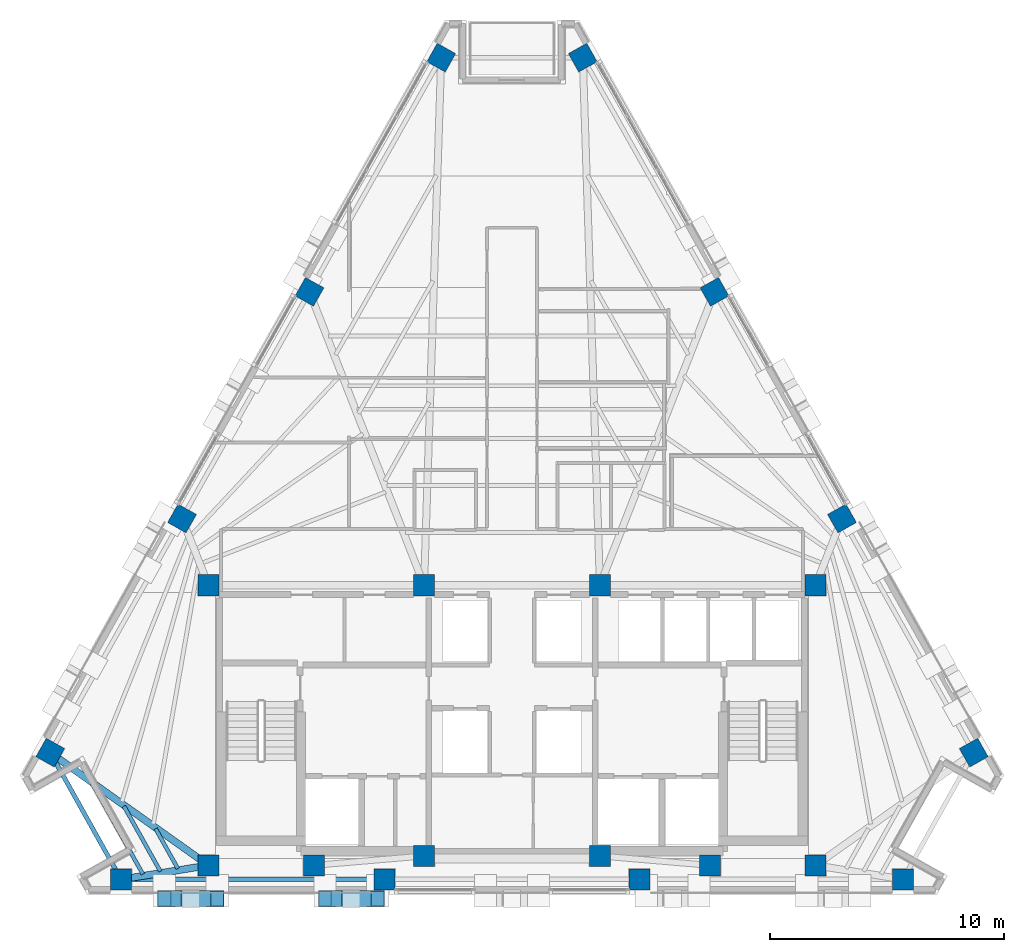
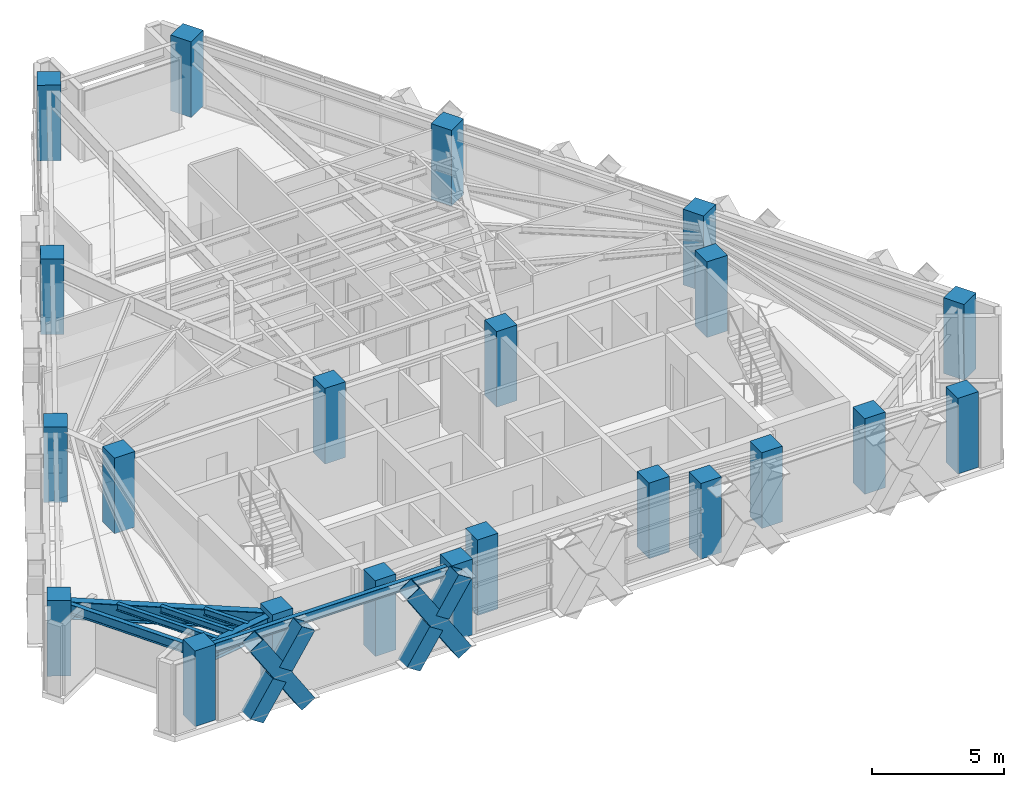
# One storey, part 1 of 15: 22 columns, 7 beams, 6 members.
"""IFC4 building model written with IfcOpenShell, lengths in metres."""

from ifc_helpers import new_model, si_unit, direction, frame, origin, origin_2d, place, context, subcontext, project, spatial, rectangle, hollow_rectangle, i_section, extrude, material, material_profile, profile_set, type_object, element, save


model = new_model("IFC4")

# Units and contexts
model_context = context("Model", 3, precision=1e-05, world=origin(), true_north=direction((0.0, 1.0)))
body_context = subcontext(model_context, "Body", "Model", "MODEL_VIEW")
ifc_project = project(units=[si_unit("LENGTHUNIT", "METRE"), si_unit("AREAUNIT", "SQUARE_METRE"), si_unit("VOLUMEUNIT", "CUBIC_METRE"), si_unit("PLANEANGLEUNIT", "RADIAN"), si_unit("MASSUNIT", "GRAM", prefix="KILO")], contexts=[model_context])

# Site, building, storey
site_placement = place(None, origin())
site = spatial("IfcSite", under=ifc_project, at=site_placement, CompositionType="ELEMENT")
building_placement = place(site_placement, origin())
building = spatial("IfcBuilding", under=site, at=building_placement, Name="Quenlor Broadcast Tower", CompositionType="ELEMENT")
storey_placement = place(building_placement, frame((0.0, 0.0, 183.39990234375)))
storey = spatial("IfcBuildingStorey", under=building, at=storey_placement, Name="L50", CompositionType="ELEMENT", Elevation=183.39990234375)

# Columns
ifc_material_1 = material(Name="Concrete C50/60", Category="concrete")
ifc_material_profile_1 = material_profile(ifc_material_1, rectangle(XDim=0.89990234375, YDim=0.89990234375, at=origin_2d()))
ifc_profile_set_1 = profile_set([ifc_material_profile_1], Name="Concrete C50/60 RC900x900")
column_type_1 = type_object("IfcColumnType", Name="Core Corner Column Upper Concrete C50/60 900", PredefinedType="COLUMN", material=ifc_profile_set_1)
for number, where, z_axis, x_axis, name in (
    (1, (-12.949951171875, -16.75, 0.0), (0.0, 0.0, 1.0), (1.0, 0.0, 0.0), "L50 Core Column CC1"),
    (2, (-8.449951171875, -16.75, 0.0), (0.0, 0.0, 1.0), (1.0, 0.0, 0.0), "L50 Core Column CC2"),
    (3, (-3.75, -16.35009765625, 0.0), (0.0, 0.0, 1.0), (1.0, 0.0, 0.0), "L50 Core Column CC3"),
    (4, (3.75, -16.35009765625, 0.0), (0.0, 0.0, 1.0), (1.0, 0.0, 0.0), "L50 Core Column CC4"),
    (5, (8.449951171875, -16.75, 0.0), (0.0, 0.0, 1.0), (1.0, 0.0, 0.0), "L50 Core Column CC5"),
    (6, (12.949951171875, -16.75, 0.0), (0.0, 0.0, 1.0), (1.0, 0.0, 0.0), "L50 Core Column CC6"),
    (7, (-12.949951171875, -4.800048828125, 0.0), (0.0, 0.0, 1.0), (1.0, 0.0, 0.0), "L50 Core Column CC7"),
    (8, (-3.75, -4.800048828125, 0.0), (0.0, 0.0, 1.0), (1.0, 0.0, 0.0), "L50 Core Column CC8"),
    (9, (3.75, -4.800048828125, 0.0), (0.0, 0.0, 1.0), (1.0, 0.0, 0.0), "L50 Core Column CC9"),
    (10, (12.949951171875, -4.800048828125, 0.0), (0.0, 0.0, 1.0), (1.0, 0.0, 0.0), "L50 Core Column CC10"),
):
    element("IfcColumn", number, at=place(storey_placement, frame(where, z_axis=z_axis, x_axis=x_axis)), inside=storey, type_object=column_type_1, Name=name, PredefinedType="COLUMN", context=body_context, shape_type="SweptSolid", body=[
        extrude(rectangle(XDim=0.89990234375, YDim=0.89990234375, at=origin_2d()), origin(), (0.0, 0.0, 1.0), 3.5),
    ])
ifc_material_2 = material(Name="Concrete C50/60", Category="concrete")
ifc_material_profile_2 = material_profile(ifc_material_2, rectangle(XDim=0.89990234375, YDim=0.89990234375, at=origin_2d()))
ifc_profile_set_2 = profile_set([ifc_material_profile_2], Name="Concrete C50/60 RC900x900")
column_type_2 = type_object("IfcColumnType", Name="Tower Perimeter Column Z4 Concrete C50/60 900", PredefinedType="COLUMN", material=ifc_profile_set_2)
for number, where, z_axis, x_axis, name in (
    (11, (-16.67578125, -17.35009765625, 0.0), (0.0, 0.0, 1.0), (0.0, 1.0, 0.0), "L50 Perimeter Column S1"),
    (12, (-5.437744140625, -17.35009765625, 0.0), (0.0, 0.0, 1.0), (0.0, 1.0, 0.0), "L50 Perimeter Column S2"),
    (13, (5.437744140625, -17.35009765625, 0.0), (0.0, 0.0, 1.0), (0.0, 1.0, 0.0), "L50 Perimeter Column S3"),
    (14, (16.67578125, -17.35009765625, 0.0), (0.0, 0.0, 1.0), (0.0, 1.0, 0.0), "L50 Perimeter Column S4"),
    (15, (19.696533203125, -11.941650390625, 0.0), (0.0, 0.0, 1.0), (0.871575139605, 0.490261946333, 0.0), "L50 Perimeter Column NE1"),
    (16, (14.077392578125, -1.952392578125, 0.0), (0.0, 0.0, 1.0), (0.871575139605, 0.490261946333, 0.0), "L50 Perimeter Column NE2"),
    (17, (8.6396484375, 7.71484375, 0.0), (0.0, 0.0, 1.0), (0.871575139605, 0.490261946333, 0.0), "L50 Perimeter Column NE3"),
    (18, (3.0205078125, 17.704345703125, 0.0), (0.0, 0.0, 1.0), (0.871575139605, 0.490261946333, 0.0), "L50 Perimeter Column NE4"),
    (19, (-3.0205078125, 17.704345703125, 0.0), (0.0, 0.0, 1.0), (-0.871575139605, 0.490261946333, 0.0), "L50 Perimeter Column NW1"),
    (20, (-8.6396484375, 7.71484375, 0.0), (0.0, 0.0, 1.0), (-0.871575139605, 0.490261946333, 0.0), "L50 Perimeter Column NW2"),
    (21, (-14.077392578125, -1.952392578125, 0.0), (0.0, 0.0, 1.0), (-0.871575139605, 0.490261946333, 0.0), "L50 Perimeter Column NW3"),
    (22, (-19.696533203125, -11.941650390625, 0.0), (0.0, 0.0, 1.0), (-0.871575139605, 0.490261946333, 0.0), "L50 Perimeter Column NW4"),
):
    element("IfcColumn", number, at=place(storey_placement, frame(where, z_axis=z_axis, x_axis=x_axis)), inside=storey, type_object=column_type_2, Name=name, PredefinedType="COLUMN", context=body_context, shape_type="SweptSolid", body=[
        extrude(rectangle(XDim=0.89990234375, YDim=0.89990234375, at=origin_2d()), origin(), (0.0, 0.0, 1.0), 3.5),
    ])

# Members
ifc_material_3 = material(Name="Steel S355", Category="steel")
ifc_material_profile_3 = material_profile(ifc_material_3, hollow_rectangle(XDim=0.679931640625, YDim=0.679931640625, WallThickness=0.02490234375, at=origin_2d()))
ifc_profile_set_3 = profile_set([ifc_material_profile_3], Name="Steel S355 RHS680x680x25")
member_type = type_object("IfcMemberType", Name="Perimeter Diagonal Lattice Brace Z3-Z4 Steel S355 RHS680x25", PredefinedType="BRACE", material=ifc_profile_set_3)
member_1_placement = place(storey_placement, frame((-5.722412109375, -18.169921875, -0.119873046875), z_axis=(-0.541794306908, 0.0, 0.840511111766), x_axis=(0.0, -1.0, 0.0)))
element("IfcMember", 23, at=member_1_placement, inside=storey, type_object=member_type, Name="L50 Perimeter Diamond Lattice S-C4XA", PredefinedType="BRACE", context=body_context, shape_type="SweptSolid", body=[
    extrude(hollow_rectangle(XDim=0.679931640625, YDim=0.679931640625, WallThickness=0.02490234375, at=origin_2d()), origin(), (0.0, 0.0, 1.0), 4.1640625),
])
member_2_placement = place(storey_placement, frame((-7.978515625, -18.169921875, -0.119873046875), z_axis=(0.54184151587, 0.0, 0.840480678945), x_axis=(0.0, 1.0, 0.0)))
element("IfcMember", 24, at=member_2_placement, inside=storey, type_object=member_type, Name="L50 Perimeter Diamond Lattice S-C4XB1", PredefinedType="BRACE", context=body_context, shape_type="SweptSolid", body=[
    extrude(hollow_rectangle(XDim=0.679931640625, YDim=0.679931640625, WallThickness=0.02490234375, at=origin_2d()), origin(), (0.0, 0.0, 1.0), 1.83203125),
])
member_3_placement = place(storey_placement, frame((-6.715087890625, -18.169921875, 1.840087890625), z_axis=(0.541780832962, 0.0, 0.840519796932), x_axis=(0.0, 1.0, 0.0)))
element("IfcMember", 25, at=member_3_placement, inside=storey, type_object=member_type, Name="L50 Perimeter Diamond Lattice S-C4XB2", PredefinedType="BRACE", context=body_context, shape_type="SweptSolid", body=[
    extrude(hollow_rectangle(XDim=0.679931640625, YDim=0.679931640625, WallThickness=0.02490234375, at=origin_2d()), origin(), (0.0, 0.0, 1.0), 1.832275390625),
])
member_4_placement = place(storey_placement, frame((-12.57275390625, -18.169921875, -0.119873046875), z_axis=(-0.541794306908, 0.0, 0.840511111766), x_axis=(0.0, -1.0, 0.0)))
element("IfcMember", 26, at=member_4_placement, inside=storey, type_object=member_type, Name="L50 Perimeter Diamond Lattice S-C5XA", PredefinedType="BRACE", context=body_context, shape_type="SweptSolid", body=[
    extrude(hollow_rectangle(XDim=0.679931640625, YDim=0.679931640625, WallThickness=0.02490234375, at=origin_2d()), origin(), (0.0, 0.0, 1.0), 4.1640625),
])
member_5_placement = place(storey_placement, frame((-14.828857421875, -18.169921875, -0.119873046875), z_axis=(0.54184151587, 0.0, 0.840480678945), x_axis=(0.0, 1.0, 0.0)))
element("IfcMember", 27, at=member_5_placement, inside=storey, type_object=member_type, Name="L50 Perimeter Diamond Lattice S-C5XB1", PredefinedType="BRACE", context=body_context, shape_type="SweptSolid", body=[
    extrude(hollow_rectangle(XDim=0.679931640625, YDim=0.679931640625, WallThickness=0.02490234375, at=origin_2d()), origin(), (0.0, 0.0, 1.0), 1.83203125),
])
member_6_placement = place(storey_placement, frame((-13.5654296875, -18.169921875, 1.840087890625), z_axis=(0.541780832962, 0.0, 0.840519796932), x_axis=(0.0, 1.0, 0.0)))
element("IfcMember", 28, at=member_6_placement, inside=storey, type_object=member_type, Name="L50 Perimeter Diamond Lattice S-C5XB2", PredefinedType="BRACE", context=body_context, shape_type="SweptSolid", body=[
    extrude(hollow_rectangle(XDim=0.679931640625, YDim=0.679931640625, WallThickness=0.02490234375, at=origin_2d()), origin(), (0.0, 0.0, 1.0), 1.832275390625),
])

# Beams
ifc_material_4 = material(Name="Steel S355", Category="steel")
ifc_material_profile_4 = material_profile(ifc_material_4, i_section(OverallWidth=0.18994140625, OverallDepth=0.453857421875, WebThickness=0.008544921875, FlangeThickness=0.0126953125, FilletRadius=0.011474609375, at=origin_2d()))
ifc_profile_set_4 = profile_set([ifc_material_profile_4], Name="Steel S355 460UB67.1")
beam_type_1 = type_object("IfcBeamType", Name="Perimeter Spandrel Beam Z4 Steel S355 460UB67.1", PredefinedType="SPANDREL", material=ifc_profile_set_4)
beam_1_placement = place(storey_placement, frame((-16.265869140625, -17.35009765625, 3.023193359375), z_axis=(1.0, 0.0, 0.0), x_axis=(0.0, 1.0, 0.0)))
element("IfcBeam", 29, at=beam_1_placement, inside=storey, type_object=beam_type_1, Name="L50 Spandrel Beam S1-S2", PredefinedType="SPANDREL", context=body_context, shape_type="SweptSolid", body=[
    extrude(i_section(OverallWidth=0.18994140625, OverallDepth=0.453857421875, WebThickness=0.008544921875, FlangeThickness=0.0126953125, FilletRadius=0.011474609375, at=origin_2d()), origin(), (0.0, 0.0, 1.0), 10.41796875),
])
beam_2_placement = place(storey_placement, frame((-19.49658203125, -12.2998046875, 3.023193359375), z_axis=(0.487647250206, -0.8730407547, 0.0), x_axis=(0.8730407547, 0.487647250206, 0.0)))
element("IfcBeam", 30, at=beam_2_placement, inside=storey, type_object=beam_type_1, Name="L50 Spandrel Beam NW4-S1", PredefinedType="SPANDREL", context=body_context, shape_type="SweptSolid", body=[
    extrude(i_section(OverallWidth=0.18994140625, OverallDepth=0.453857421875, WebThickness=0.008544921875, FlangeThickness=0.0126953125, FilletRadius=0.011474609375, at=origin_2d()), origin(), (0.0, 0.0, 1.0), 5.37451171875),
])
ifc_material_5 = material(Name="Steel S355", Category="steel")
ifc_material_profile_5 = material_profile(ifc_material_5, i_section(OverallWidth=0.300048828125, OverallDepth=0.81591796875, WebThickness=0.013916015625, FlangeThickness=0.028076171875, FilletRadius=0.013916015625, at=origin_2d()))
ifc_profile_set_5 = profile_set([ifc_material_profile_5], Name="Steel S355 800WB192")
beam_type_2 = type_object("IfcBeamType", Name="Sky Lobby Primary Girder Steel S355 800WB192", PredefinedType="BEAM", material=ifc_profile_set_5)
beam_3_placement = place(storey_placement, frame((-16.27099609375, -17.284912109375, 2.842041015625), z_axis=(0.987268490875, 0.159062650942, 0.0), x_axis=(-0.159062650942, 0.987268490875, 0.0)))
element("IfcBeam", 31, at=beam_3_placement, inside=storey, type_object=beam_type_2, Name="L50 Primary Radial Beam S1", PredefinedType="BEAM", context=body_context, shape_type="SweptSolid", body=[
    extrude(i_section(OverallWidth=0.300048828125, OverallDepth=0.81591796875, WebThickness=0.013916015625, FlangeThickness=0.028076171875, FilletRadius=0.013916015625, at=origin_2d()), origin(), (0.0, 0.0, 1.0), 2.98388671875),
])
beam_4_placement = place(storey_placement, frame((-19.362548828125, -12.1796875, 2.842041015625), z_axis=(0.814329531787, -0.580402802938, 0.0), x_axis=(0.580402802938, 0.814329531787, 0.0)))
element("IfcBeam", 32, at=beam_4_placement, inside=storey, type_object=beam_type_2, Name="L50 Primary Radial Beam NW4", PredefinedType="BEAM", context=body_context, shape_type="SweptSolid", body=[
    extrude(i_section(OverallWidth=0.300048828125, OverallDepth=0.81591796875, WebThickness=0.013916015625, FlangeThickness=0.028076171875, FilletRadius=0.013916015625, at=origin_2d()), origin(), (0.0, 0.0, 1.0), 7.49462890625),
])
ifc_material_6 = material(Name="Steel S355", Category="steel")
ifc_material_profile_6 = material_profile(ifc_material_6, i_section(OverallWidth=0.166015625, OverallDepth=0.30712890625, WebThickness=0.006591796875, FlangeThickness=0.01171875, FilletRadius=0.011474609375, at=origin_2d()))
ifc_profile_set_6 = profile_set([ifc_material_profile_6], Name="Steel S355 310UB46.2")
beam_type_3 = type_object("IfcBeamType", Name="Tower Composite Joist Z4-Z5 Steel S355 310UB46.2", PredefinedType="JOIST", material=ifc_profile_set_6)
beam_5_placement = place(storey_placement, frame((-14.255859375, -16.88427734375, 3.096435546875), z_axis=(-0.487590799665, 0.873072283423, 0.0), x_axis=(-0.873072283423, -0.487590799665, 0.0)))
element("IfcBeam", 33, at=beam_5_placement, inside=storey, type_object=beam_type_3, Name="L50 Secondary Composite Joist 19", PredefinedType="JOIST", context=body_context, shape_type="SweptSolid", body=[
    extrude(i_section(OverallWidth=0.166015625, OverallDepth=0.30712890625, WebThickness=0.006591796875, FlangeThickness=0.01171875, FilletRadius=0.011474609375, at=origin_2d()), origin(), (0.0, 0.0, 1.0), 1.9462890625),
])
beam_6_placement = place(storey_placement, frame((-15.0009765625, -17.004150390625, 3.096435546875), z_axis=(-0.487646119388, 0.87304138633, 0.0), x_axis=(-0.87304138633, -0.487646119388, 0.0)))
element("IfcBeam", 34, at=beam_6_placement, inside=storey, type_object=beam_type_3, Name="L50 Secondary Composite Joist 20", PredefinedType="JOIST", context=body_context, shape_type="SweptSolid", body=[
    extrude(i_section(OverallWidth=0.166015625, OverallDepth=0.30712890625, WebThickness=0.006591796875, FlangeThickness=0.01171875, FilletRadius=0.011474609375, at=origin_2d()), origin(), (0.0, 0.0, 1.0), 3.18505859375),
])
beam_7_placement = place(storey_placement, frame((-15.74609375, -17.124267578125, 3.096435546875), z_axis=(-0.487604899573, 0.873064408799, 0.0), x_axis=(-0.873064408799, -0.487604899573, 0.0)))
element("IfcBeam", 35, at=beam_7_placement, inside=storey, type_object=beam_type_3, Name="L50 Secondary Composite Joist 21", PredefinedType="JOIST", context=body_context, shape_type="SweptSolid", body=[
    extrude(i_section(OverallWidth=0.166015625, OverallDepth=0.30712890625, WebThickness=0.006591796875, FlangeThickness=0.01171875, FilletRadius=0.011474609375, at=origin_2d()), origin(), (0.0, 0.0, 1.0), 4.424072265625),
])

save(model, "model.ifc")
